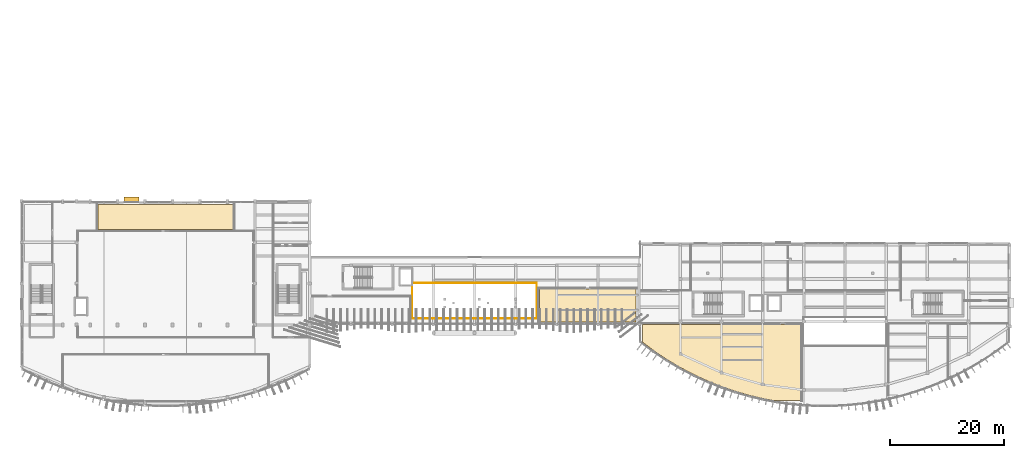
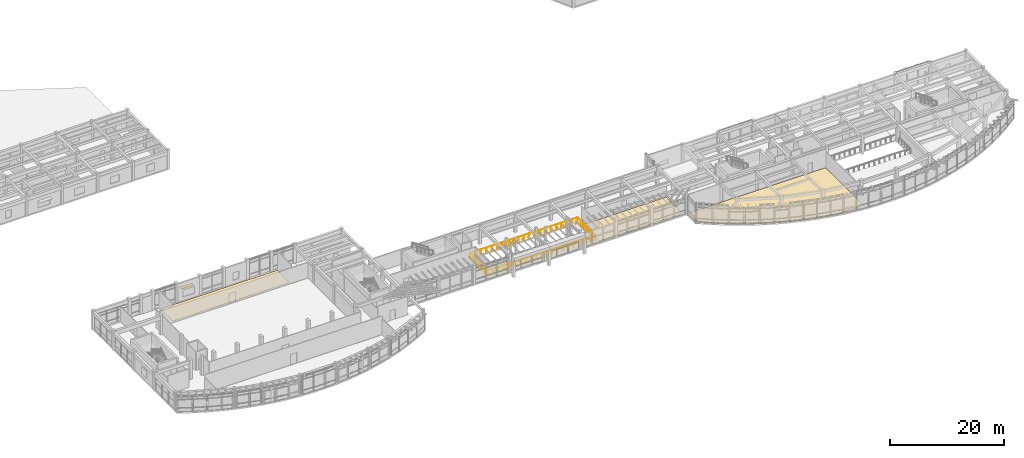
# One storey, part 53 of 60: 3 coverings, 2 railings, 1 shading device.
"""IFC4 building model written with IfcOpenShell, lengths in metres."""

from ifc_helpers import new_model, si_unit, direction, frame, origin, origin_2d, place, context, subcontext, project, spatial, polyline, rectangle, circle, outline, extrude, material, layer, layer_set, type_object, element, save


model = new_model("IFC4")

# Units and contexts
model_context = context("Model", 3, precision=1e-05, world=origin(), true_north=direction((0.0, 1.0)))
body_context = subcontext(model_context, "Body", "Model", "MODEL_VIEW")
ifc_project = project(units=[si_unit("LENGTHUNIT", "METRE"), si_unit("AREAUNIT", "SQUARE_METRE"), si_unit("VOLUMEUNIT", "CUBIC_METRE"), si_unit("PLANEANGLEUNIT", "RADIAN"), si_unit("MASSUNIT", "GRAM", prefix="KILO")], contexts=[model_context])

# Site, building, storey
site_placement = place(None, origin())
site = spatial("IfcSite", under=ifc_project, at=site_placement, CompositionType="ELEMENT")
building_placement = place(site_placement, origin())
building = spatial("IfcBuilding", under=site, at=building_placement, Name="Brisavento Harbour Community Centre", CompositionType="ELEMENT")
storey_placement = place(building_placement, frame((0.0, 0.0, 4.5)))
storey = spatial("IfcBuildingStorey", under=building, at=storey_placement, Name="L01", CompositionType="ELEMENT", Elevation=4.5)

# Coverings
ifc_material_1 = material(Name="Polished marine terrazzo tile", Category="other")
ifc_layer_1 = layer(ifc_material_1, 0.02001953125, Name="Polished marine terrazzo tile")
ifc_layer_set_1 = layer_set([ifc_layer_1], Name="Polished marine terrazzo tile")
covering_type = type_object("IfcCoveringType", Name="COV-FLR-TRZ", PredefinedType="FLOORING", material=ifc_layer_set_1)
covering_1_placement = place(storey_placement, origin())
element("IfcCovering", 1, at=covering_1_placement, inside=storey, type_object=covering_type, Name="L01 Sanctuary Platform terrazzo flooring", PredefinedType="FLOORING", context=body_context, shape_type="SweptSolid", body=[
    extrude(outline(polyline([(37.050048828125, 31.070068359375), (37.050048828125, 35.449951171875), (13.35009765625, 35.449951171875), (13.35009765625, 31.070068359375), (37.050048828125, 31.070068359375)])), origin(), (0.0, 0.0, 1.0), 0.02001953125),
])
covering_2_placement = place(storey_placement, origin())
element("IfcCovering", 2, at=covering_2_placement, inside=storey, type_object=covering_type, Name="L01 Civic Exhibition Bridge terrazzo flooring", PredefinedType="FLOORING", context=body_context, shape_type="SweptSolid", body=[
    extrude(outline(polyline([(107.449951171875, 14.85009765625), (107.449951171875, 20.64990234375), (90.550048828125, 20.64990234375), (90.550048828125, 14.85009765625), (107.449951171875, 14.85009765625)])), origin(), (0.0, 0.0, 1.0), 0.02001953125),
])
covering_3_placement = place(storey_placement, origin())
element("IfcCovering", 3, at=covering_3_placement, inside=storey, type_object=covering_type, Name="L01 Public Library Lending Hall terrazzo flooring", PredefinedType="FLOORING", context=body_context, shape_type="SweptSolid", body=[
    extrude(outline(polyline([(136.25, 1.14990234375), (136.25, 14.449951171875), (108.550048828125, 14.449951171875), (108.550048828125, 11.377685546875), (110.61376953125, 9.82861328125), (112.99658203125, 8.24267578125), (115.37939453125, 6.837890625), (117.762451171875, 5.59765625), (120.145263671875, 4.509033203125), (122.5283203125, 3.56201171875), (124.9111328125, 2.748291015625), (127.2939453125, 2.061279296875), (129.677001953125, 1.49609375), (131.51806640625, 1.14990234375), (136.25, 1.14990234375)])), origin(), (0.0, 0.0, 1.0), 0.02001953125),
])

# Railings
ifc_material_2 = material(Name="Stainless steel 1.4401", Category="steel")
railing_type = type_object("IfcRailingType", Name="RL-ATR-BAL", PredefinedType="BALUSTRADE", material=ifc_material_2)
railing_1_placement = place(storey_placement, frame((68.300048828125, 15.5, 0.0)))
element("IfcRailing", 4, at=railing_1_placement, inside=storey, type_object=railing_type, Name="L01 atrium and gallery balustrade BAL-V2-FOY-1", PredefinedType="BALUSTRADE", context=body_context, shape_type="SweptSolid", body=[
    extrude(circle(Radius=0.02392578125, at=origin_2d()), frame((0.0, 0.0, 1.09619140625), z_axis=(1.0, 0.0, 0.0), x_axis=(0.0, 1.0, 0.0)), (0.0, 0.0, 1.0), 21.800048828125),
    extrude(circle(Radius=0.02392578125, at=origin_2d()), frame((21.800048828125, 0.0, 1.09619140625), z_axis=(0.0, 1.0, 0.0), x_axis=(-1.0, 0.0, 0.0)), (0.0, 0.0, 1.0), 6.199951171875),
    extrude(circle(Radius=0.02099609375, at=origin_2d()), origin(), (0.0, 0.0, 1.0), 1.072021484375),
    extrude(circle(Radius=0.02099609375, at=origin_2d()), frame((1.090087890625, 0.0, 0.0)), (0.0, 0.0, 1.0), 1.072021484375),
    extrude(circle(Radius=0.02099609375, at=origin_2d()), frame((2.179931640625, 0.0, 0.0)), (0.0, 0.0, 1.0), 1.072021484375),
    extrude(circle(Radius=0.02099609375, at=origin_2d()), frame((3.27001953125, 0.0, 0.0)), (0.0, 0.0, 1.0), 1.072021484375),
    extrude(circle(Radius=0.02099609375, at=origin_2d()), frame((4.360107421875, 0.0, 0.0)), (0.0, 0.0, 1.0), 1.072021484375),
    extrude(circle(Radius=0.02099609375, at=origin_2d()), frame((5.449951171875, 0.0, 0.0)), (0.0, 0.0, 1.0), 1.072021484375),
    extrude(circle(Radius=0.02099609375, at=origin_2d()), frame((6.5400390625, 0.0, 0.0)), (0.0, 0.0, 1.0), 1.072021484375),
    extrude(circle(Radius=0.02099609375, at=origin_2d()), frame((7.630126953125, 0.0, 0.0)), (0.0, 0.0, 1.0), 1.072021484375),
    extrude(circle(Radius=0.02099609375, at=origin_2d()), frame((8.719970703125, 0.0, 0.0)), (0.0, 0.0, 1.0), 1.072021484375),
    extrude(circle(Radius=0.02099609375, at=origin_2d()), frame((9.81005859375, 0.0, 0.0)), (0.0, 0.0, 1.0), 1.072021484375),
    extrude(circle(Radius=0.02099609375, at=origin_2d()), frame((10.89990234375, 0.0, 0.0)), (0.0, 0.0, 1.0), 1.072021484375),
    extrude(circle(Radius=0.02099609375, at=origin_2d()), frame((11.989990234375, 0.0, 0.0)), (0.0, 0.0, 1.0), 1.072021484375),
    extrude(circle(Radius=0.02099609375, at=origin_2d()), frame((13.080078125, 0.0, 0.0)), (0.0, 0.0, 1.0), 1.072021484375),
    extrude(circle(Radius=0.02099609375, at=origin_2d()), frame((14.169921875, 0.0, 0.0)), (0.0, 0.0, 1.0), 1.072021484375),
    extrude(circle(Radius=0.02099609375, at=origin_2d()), frame((15.260009765625, 0.0, 0.0)), (0.0, 0.0, 1.0), 1.072021484375),
    extrude(circle(Radius=0.02099609375, at=origin_2d()), frame((16.35009765625, 0.0, 0.0)), (0.0, 0.0, 1.0), 1.072021484375),
    extrude(circle(Radius=0.02099609375, at=origin_2d()), frame((17.43994140625, 0.0, 0.0)), (0.0, 0.0, 1.0), 1.072021484375),
    extrude(circle(Radius=0.02099609375, at=origin_2d()), frame((18.530029296875, 0.0, 0.0)), (0.0, 0.0, 1.0), 1.072021484375),
    extrude(circle(Radius=0.02099609375, at=origin_2d()), frame((19.6201171875, 0.0, 0.0)), (0.0, 0.0, 1.0), 1.072021484375),
    extrude(circle(Radius=0.02099609375, at=origin_2d()), frame((20.7099609375, 0.0, 0.0)), (0.0, 0.0, 1.0), 1.072021484375),
    extrude(circle(Radius=0.02099609375, at=origin_2d()), frame((21.800048828125, 0.0, 0.0)), (0.0, 0.0, 1.0), 1.072021484375),
    extrude(circle(Radius=0.02099609375, at=origin_2d()), frame((21.800048828125, 1.033203125, 0.0)), (0.0, 0.0, 1.0), 1.072021484375),
    extrude(circle(Radius=0.02099609375, at=origin_2d()), frame((21.800048828125, 2.066650390625, 0.0)), (0.0, 0.0, 1.0), 1.072021484375),
    extrude(circle(Radius=0.02099609375, at=origin_2d()), frame((21.800048828125, 3.10009765625, 0.0)), (0.0, 0.0, 1.0), 1.072021484375),
    extrude(circle(Radius=0.02099609375, at=origin_2d()), frame((21.800048828125, 4.13330078125, 0.0)), (0.0, 0.0, 1.0), 1.072021484375),
    extrude(circle(Radius=0.02099609375, at=origin_2d()), frame((21.800048828125, 5.16650390625, 0.0)), (0.0, 0.0, 1.0), 1.072021484375),
    extrude(circle(Radius=0.02099609375, at=origin_2d()), frame((21.800048828125, 6.199951171875, 0.0)), (0.0, 0.0, 1.0), 1.072021484375),
])
railing_2_placement = place(storey_placement, frame((90.10009765625, 21.699951171875, 0.0)))
element("IfcRailing", 5, at=railing_2_placement, inside=storey, type_object=railing_type, Name="L01 atrium and gallery balustrade BAL-V2-FOY-2", PredefinedType="BALUSTRADE", context=body_context, shape_type="SweptSolid", body=[
    extrude(circle(Radius=0.02392578125, at=origin_2d()), frame((0.0, 0.0, 1.09619140625), z_axis=(-1.0, 0.0, 0.0), x_axis=(0.0, -1.0, 0.0)), (0.0, 0.0, 1.0), 21.800048828125),
    extrude(circle(Radius=0.02392578125, at=origin_2d()), frame((-21.800048828125, 0.0, 1.09619140625), z_axis=(0.0, -1.0, 0.0), x_axis=(1.0, 0.0, 0.0)), (0.0, 0.0, 1.0), 6.199951171875),
    extrude(circle(Radius=0.02099609375, at=origin_2d()), origin(), (0.0, 0.0, 1.0), 1.072021484375),
    extrude(circle(Radius=0.02099609375, at=origin_2d()), frame((-1.090087890625, 0.0, 0.0)), (0.0, 0.0, 1.0), 1.072021484375),
    extrude(circle(Radius=0.02099609375, at=origin_2d()), frame((-2.179931640625, 0.0, 0.0)), (0.0, 0.0, 1.0), 1.072021484375),
    extrude(circle(Radius=0.02099609375, at=origin_2d()), frame((-3.27001953125, 0.0, 0.0)), (0.0, 0.0, 1.0), 1.072021484375),
    extrude(circle(Radius=0.02099609375, at=origin_2d()), frame((-4.360107421875, 0.0, 0.0)), (0.0, 0.0, 1.0), 1.072021484375),
    extrude(circle(Radius=0.02099609375, at=origin_2d()), frame((-5.449951171875, 0.0, 0.0)), (0.0, 0.0, 1.0), 1.072021484375),
    extrude(circle(Radius=0.02099609375, at=origin_2d()), frame((-6.5400390625, 0.0, 0.0)), (0.0, 0.0, 1.0), 1.072021484375),
    extrude(circle(Radius=0.02099609375, at=origin_2d()), frame((-7.630126953125, 0.0, 0.0)), (0.0, 0.0, 1.0), 1.072021484375),
    extrude(circle(Radius=0.02099609375, at=origin_2d()), frame((-8.719970703125, 0.0, 0.0)), (0.0, 0.0, 1.0), 1.072021484375),
    extrude(circle(Radius=0.02099609375, at=origin_2d()), frame((-9.81005859375, 0.0, 0.0)), (0.0, 0.0, 1.0), 1.072021484375),
    extrude(circle(Radius=0.02099609375, at=origin_2d()), frame((-10.89990234375, 0.0, 0.0)), (0.0, 0.0, 1.0), 1.072021484375),
    extrude(circle(Radius=0.02099609375, at=origin_2d()), frame((-11.989990234375, 0.0, 0.0)), (0.0, 0.0, 1.0), 1.072021484375),
    extrude(circle(Radius=0.02099609375, at=origin_2d()), frame((-13.080078125, 0.0, 0.0)), (0.0, 0.0, 1.0), 1.072021484375),
    extrude(circle(Radius=0.02099609375, at=origin_2d()), frame((-14.169921875, 0.0, 0.0)), (0.0, 0.0, 1.0), 1.072021484375),
    extrude(circle(Radius=0.02099609375, at=origin_2d()), frame((-15.260009765625, 0.0, 0.0)), (0.0, 0.0, 1.0), 1.072021484375),
    extrude(circle(Radius=0.02099609375, at=origin_2d()), frame((-16.35009765625, 0.0, 0.0)), (0.0, 0.0, 1.0), 1.072021484375),
    extrude(circle(Radius=0.02099609375, at=origin_2d()), frame((-17.43994140625, 0.0, 0.0)), (0.0, 0.0, 1.0), 1.072021484375),
    extrude(circle(Radius=0.02099609375, at=origin_2d()), frame((-18.530029296875, 0.0, 0.0)), (0.0, 0.0, 1.0), 1.072021484375),
    extrude(circle(Radius=0.02099609375, at=origin_2d()), frame((-19.6201171875, 0.0, 0.0)), (0.0, 0.0, 1.0), 1.072021484375),
    extrude(circle(Radius=0.02099609375, at=origin_2d()), frame((-20.7099609375, 0.0, 0.0)), (0.0, 0.0, 1.0), 1.072021484375),
    extrude(circle(Radius=0.02099609375, at=origin_2d()), frame((-21.800048828125, 0.0, 0.0)), (0.0, 0.0, 1.0), 1.072021484375),
    extrude(circle(Radius=0.02099609375, at=origin_2d()), frame((-21.800048828125, -1.033203125, 0.0)), (0.0, 0.0, 1.0), 1.072021484375),
    extrude(circle(Radius=0.02099609375, at=origin_2d()), frame((-21.800048828125, -2.066650390625, 0.0)), (0.0, 0.0, 1.0), 1.072021484375),
    extrude(circle(Radius=0.02099609375, at=origin_2d()), frame((-21.800048828125, -3.10009765625, 0.0)), (0.0, 0.0, 1.0), 1.072021484375),
    extrude(circle(Radius=0.02099609375, at=origin_2d()), frame((-21.800048828125, -4.13330078125, 0.0)), (0.0, 0.0, 1.0), 1.072021484375),
    extrude(circle(Radius=0.02099609375, at=origin_2d()), frame((-21.800048828125, -5.16650390625, 0.0)), (0.0, 0.0, 1.0), 1.072021484375),
    extrude(circle(Radius=0.02099609375, at=origin_2d()), frame((-21.800048828125, -6.199951171875, 0.0)), (0.0, 0.0, 1.0), 1.072021484375),
])

# Shading device
ifc_material_3 = material(Name="Off-white precast concrete C40/50", Category="concrete")
ifc_layer_2 = layer(ifc_material_3, 0.080078125, Name="Off-white precast concrete C40/50")
ifc_layer_set_2 = layer_set([ifc_layer_2], Name="Off-white precast concrete C40/50")
shading_device_type = type_object("IfcShadingDeviceType", Name="SHD-BLADE", PredefinedType="USERDEFINED", material=ifc_layer_set_2)
shading_device_placement = place(storey_placement, frame((19.199951171875, 36.35009765625, 2.260009765625), z_axis=(0.0, 0.0, 1.0), x_axis=(1.0, 0.0, 0.0)))
element("IfcShadingDevice", 6, at=shading_device_placement, inside=storey, type_object=shading_device_type, Name="L01 precast storm sunshade blade 11", ObjectType="SUNSHADE BLADE", PredefinedType="USERDEFINED", context=body_context, shape_type="SweptSolid", body=[
    extrude(rectangle(XDim=2.60009765625, YDim=0.75, at=origin_2d()), origin(), (0.0, 0.0, 1.0), 0.080078125),
])

save(model, "model.ifc")
